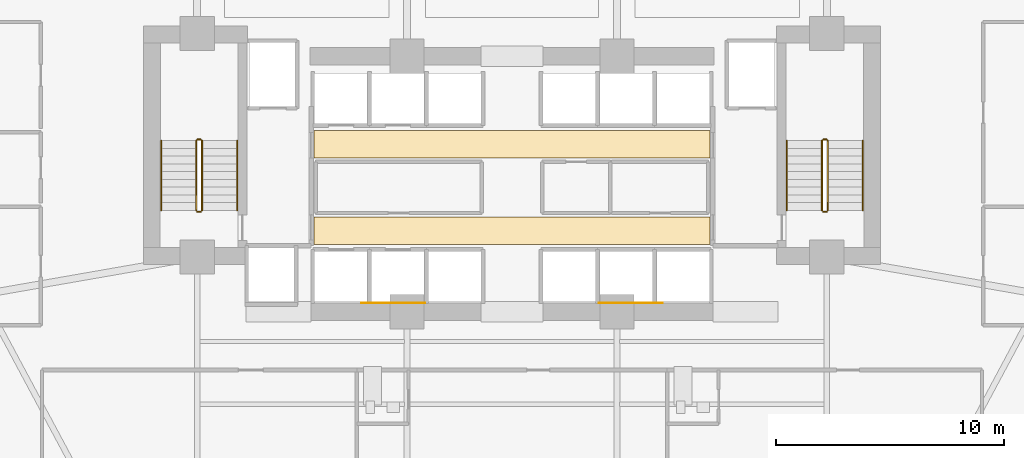
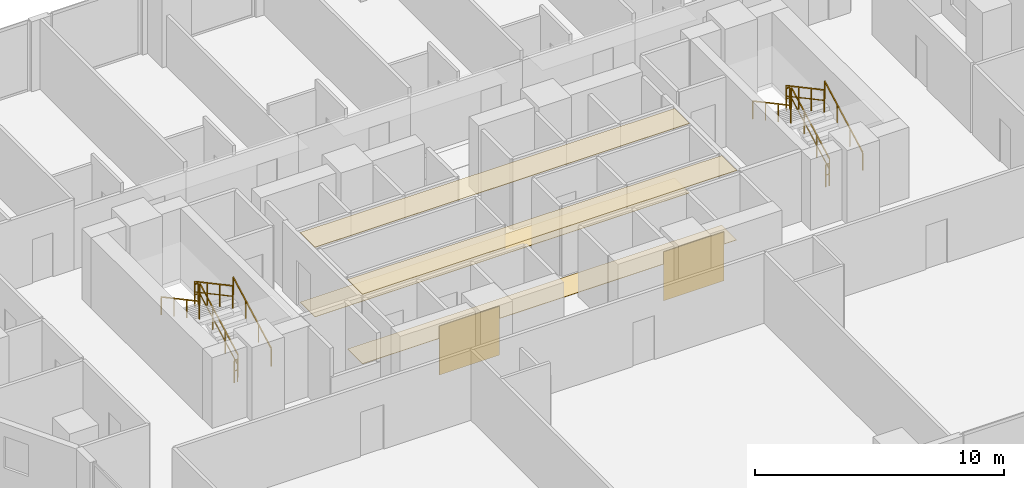
# One storey, part 27 of 29: 12 railings, 6 coverings.
"""IFC4 building model written with IfcOpenShell, lengths in metres."""

from ifc_helpers import new_model, si_unit, direction, frame, origin, origin_2d, place, context, subcontext, project, spatial, polyline, rectangle, outline, extrude, material, layer, layer_set, type_object, element, save


model = new_model("IFC4")

# Units and contexts
model_context = context("Model", 3, precision=1e-05, world=origin(), true_north=direction((0.0, 1.0)))
body_context = subcontext(model_context, "Body", "Model", "MODEL_VIEW")
ifc_project = project(units=[si_unit("LENGTHUNIT", "METRE"), si_unit("AREAUNIT", "SQUARE_METRE"), si_unit("VOLUMEUNIT", "CUBIC_METRE"), si_unit("PLANEANGLEUNIT", "RADIAN"), si_unit("MASSUNIT", "GRAM", prefix="KILO")], contexts=[model_context])

# Site, building, storey
site_placement = place(None, origin())
site = spatial("IfcSite", under=ifc_project, at=site_placement, CompositionType="ELEMENT")
building_placement = place(site_placement, origin())
building = spatial("IfcBuilding", under=site, at=building_placement, Name="Zuhayl Quay Hotel", CompositionType="ELEMENT")
storey_placement = place(building_placement, frame((0.0, 0.0, 106.60009765625)))
storey = spatial("IfcBuildingStorey", under=building, at=storey_placement, Name="L26", CompositionType="ELEMENT", Elevation=106.60009765625)

# Coverings
ifc_material_1 = material(Name="Acoustic Mineral-Fibre Gypsum Board")
ifc_layer_1 = layer(ifc_material_1, 0.02490234375, Name="Acoustic Mineral-Fibre Gypsum Board")
ifc_layer_set_1 = layer_set([ifc_layer_1], Name="Acoustic Mineral-Fibre Gypsum Board")
covering_type_1 = type_object("IfcCoveringType", Name="CV_CEIL_ACOUSTIC", PredefinedType="CEILING", material=ifc_layer_set_1)
covering_1_placement = place(storey_placement, frame((0.0, 0.0, 3.40478515625)))
element("IfcCovering", 1, at=covering_1_placement, inside=storey, type_object=covering_type_1, Name="L26 Suspended Acoustic Lobby Ceiling S", PredefinedType="CEILING", context=body_context, shape_type="SweptSolid", body=[
    extrude(outline(polyline([(-8.679931640625, 5.10009765625), (8.679931640625, 5.10009765625), (8.679931640625, 6.300048828125), (-8.679931640625, 6.300048828125), (-8.679931640625, 5.10009765625)])), origin(), (0.0, 0.0, 1.0), 0.025146484375),
])
covering_2_placement = place(storey_placement, frame((0.0, 0.0, 3.40478515625)))
element("IfcCovering", 2, at=covering_2_placement, inside=storey, type_object=covering_type_1, Name="L26 Suspended Acoustic Lobby Ceiling N", PredefinedType="CEILING", context=body_context, shape_type="SweptSolid", body=[
    extrude(outline(polyline([(-8.679931640625, 8.89990234375), (8.679931640625, 8.89990234375), (8.679931640625, 10.10009765625), (-8.679931640625, 10.10009765625), (-8.679931640625, 8.89990234375)])), origin(), (0.0, 0.0, 1.0), 0.025146484375),
])
ifc_material_2 = material(Name="Polished Limestone Terrazzo", Category="masonry")
ifc_layer_2 = layer(ifc_material_2, 0.02001953125, Name="Polished Limestone Terrazzo", Category="masonry")
ifc_layer_set_2 = layer_set([ifc_layer_2], Name="Polished Limestone Terrazzo")
covering_type_2 = type_object("IfcCoveringType", Name="CV_FLOOR_TERRAZZO", PredefinedType="FLOORING", material=ifc_layer_set_2)
covering_3_placement = place(storey_placement, origin())
element("IfcCovering", 3, at=covering_3_placement, inside=storey, type_object=covering_type_2, Name="L26 Honed Limestone Terrazzo Lobby Flooring S", PredefinedType="FLOORING", context=body_context, shape_type="SweptSolid", body=[
    extrude(outline(polyline([(-8.679931640625, 5.10009765625), (8.679931640625, 5.10009765625), (8.679931640625, 6.300048828125), (-8.679931640625, 6.300048828125), (-8.679931640625, 5.10009765625)])), origin(), (0.0, 0.0, 1.0), 0.02001953125),
])
covering_4_placement = place(storey_placement, origin())
element("IfcCovering", 4, at=covering_4_placement, inside=storey, type_object=covering_type_2, Name="L26 Honed Limestone Terrazzo Lobby Flooring N", PredefinedType="FLOORING", context=body_context, shape_type="SweptSolid", body=[
    extrude(outline(polyline([(-8.679931640625, 8.89990234375), (8.679931640625, 8.89990234375), (8.679931640625, 10.10009765625), (-8.679931640625, 10.10009765625), (-8.679931640625, 8.89990234375)])), origin(), (0.0, 0.0, 1.0), 0.02001953125),
])
ifc_material_3 = material(Name="Acoustic Walnut Feature Timber", Category="wood")
ifc_layer_3 = layer(ifc_material_3, 0.02197265625, Name="Acoustic Walnut Feature Timber", Category="wood")
ifc_layer_set_3 = layer_set([ifc_layer_3], Name="Acoustic Walnut Feature Timber")
covering_type_3 = type_object("IfcCoveringType", Name="CV_WALL_CLAD", PredefinedType="CLADDING", material=ifc_layer_set_3)
for number, where, z_axis, x_axis, name in (
    (5, (-5.199951171875, 2.535888671875, 0.300048828125), (0.0, 0.0, 1.0), (1.0, 0.0, 0.0), "L26 Feature Lobby Walnut Wall Cladding W"),
    (6, (5.199951171875, 2.535888671875, 0.300048828125), (0.0, 0.0, 1.0), (1.0, 0.0, 0.0), "L26 Feature Lobby Walnut Wall Cladding E"),
):
    element("IfcCovering", number, at=place(storey_placement, frame(where, z_axis=z_axis, x_axis=x_axis)), inside=storey, type_object=covering_type_3, Name=name, PredefinedType="CLADDING", context=body_context, shape_type="SweptSolid", body=[
        extrude(rectangle(XDim=2.800048828125, YDim=0.02197265625, at=origin_2d()), origin(), (0.0, 0.0, 1.0), 2.39990234375),
    ])

# Railings
ifc_material_4 = material(Name="Steel ASTM A992 Grade 50", Category="steel")
railing_type_1 = type_object("IfcRailingType", Name="RL_GUARD_1100", PredefinedType="GUARDRAIL", material=ifc_material_4)
railing_1_placement = place(storey_placement, frame((-13.590087890625, 6.590087890625, 0.182373046875)))
element("IfcRailing", 7, at=railing_1_placement, inside=storey, type_object=railing_type_1, Name="L26 ST1 stair guard 1", PredefinedType="GUARDRAIL", context=body_context, shape_type="SweptSolid", body=[
    extrude(rectangle(XDim=0.048095703125, YDim=0.048095703125, at=origin_2d()), frame((0.0, 0.0, 1.09619140625), z_axis=(0.0, 0.88107310026, 0.472980117973), x_axis=(-1.0, 0.0, 0.0)), (0.0, 0.0, 1.0), 3.472900390625),
    extrude(rectangle(XDim=0.0361328125, YDim=0.0361328125, at=origin_2d()), frame((0.0, 0.0, 0.58251953125), z_axis=(0.0, 0.88107310026, 0.472980117973), x_axis=(-1.0, 0.0, 0.0)), (0.0, 0.0, 1.0), 3.472900390625),
    extrude(rectangle(XDim=0.0419921875, YDim=0.0419921875, at=origin_2d()), origin(), (0.0, 0.0, 1.0), 1.072021484375),
    extrude(rectangle(XDim=0.0419921875, YDim=0.0419921875, at=origin_2d()), frame((0.0, 1.02001953125, 0.547607421875)), (0.0, 0.0, 1.0), 1.072021484375),
    extrude(rectangle(XDim=0.0419921875, YDim=0.0419921875, at=origin_2d()), frame((0.0, 2.039794921875, 1.094970703125)), (0.0, 0.0, 1.0), 1.072021484375),
    extrude(rectangle(XDim=0.0419921875, YDim=0.0419921875, at=origin_2d()), frame((0.0, 3.059814453125, 1.642578125)), (0.0, 0.0, 1.0), 1.072021484375),
])
railing_2_placement = place(storey_placement, frame((-13.639892578125, 9.699951171875, 1.824951171875)))
element("IfcRailing", 8, at=railing_2_placement, inside=storey, type_object=railing_type_1, Name="L26 ST1 stair guard 2", PredefinedType="GUARDRAIL", context=body_context, shape_type="SweptSolid", body=[
    extrude(rectangle(XDim=0.048095703125, YDim=0.048095703125, at=origin_2d()), frame((0.0, 0.0, 1.09619140625), z_axis=(-1.0, 0.0, 0.0), x_axis=(0.0, -1.0, 0.0)), (0.0, 0.0, 1.0), 0.150146484375),
    extrude(rectangle(XDim=0.0361328125, YDim=0.0361328125, at=origin_2d()), frame((0.0, 0.0, 0.58251953125), z_axis=(-1.0, 0.0, 0.0), x_axis=(0.0, -1.0, 0.0)), (0.0, 0.0, 1.0), 0.150146484375),
    extrude(rectangle(XDim=0.0419921875, YDim=0.0419921875, at=origin_2d()), origin(), (0.0, 0.0, 1.0), 1.072021484375),
    extrude(rectangle(XDim=0.0419921875, YDim=0.0419921875, at=origin_2d()), frame((-0.150146484375, 0.0, 0.0)), (0.0, 0.0, 1.0), 1.072021484375),
])
railing_3_placement = place(storey_placement, frame((-13.840087890625, 9.64990234375, 2.00732421875)))
element("IfcRailing", 9, at=railing_3_placement, inside=storey, type_object=railing_type_1, Name="L26 ST1 stair guard 3", PredefinedType="GUARDRAIL", context=body_context, shape_type="SweptSolid", body=[
    extrude(rectangle(XDim=0.048095703125, YDim=0.048095703125, at=origin_2d()), frame((0.0, 0.0, 1.09619140625), z_axis=(0.0, -0.88107310026, 0.472980117973), x_axis=(1.0, 0.0, 0.0)), (0.0, 0.0, 1.0), 3.472900390625),
    extrude(rectangle(XDim=0.0361328125, YDim=0.0361328125, at=origin_2d()), frame((0.0, 0.0, 0.58251953125), z_axis=(0.0, -0.88107310026, 0.472980117973), x_axis=(1.0, 0.0, 0.0)), (0.0, 0.0, 1.0), 3.472900390625),
    extrude(rectangle(XDim=0.0419921875, YDim=0.0419921875, at=origin_2d()), origin(), (0.0, 0.0, 1.0), 1.072021484375),
    extrude(rectangle(XDim=0.0419921875, YDim=0.0419921875, at=origin_2d()), frame((0.0, -1.02001953125, 0.547607421875)), (0.0, 0.0, 1.0), 1.072021484375),
    extrude(rectangle(XDim=0.0419921875, YDim=0.0419921875, at=origin_2d()), frame((0.0, -2.039794921875, 1.094970703125)), (0.0, 0.0, 1.0), 1.072021484375),
    extrude(rectangle(XDim=0.0419921875, YDim=0.0419921875, at=origin_2d()), frame((0.0, -3.059814453125, 1.642578125)), (0.0, 0.0, 1.0), 1.072021484375),
])
railing_4_placement = place(storey_placement, frame((-13.639892578125, 6.5400390625, 0.0)))
element("IfcRailing", 10, at=railing_4_placement, inside=storey, type_object=railing_type_1, Name="L26 ST1 stair guard 4", PredefinedType="GUARDRAIL", context=body_context, shape_type="SweptSolid", body=[
    extrude(rectangle(XDim=0.048095703125, YDim=0.048095703125, at=origin_2d()), frame((0.0, 0.0, 1.09619140625), z_axis=(-1.0, 0.0, 0.0), x_axis=(0.0, -1.0, 0.0)), (0.0, 0.0, 1.0), 0.150146484375),
    extrude(rectangle(XDim=0.0361328125, YDim=0.0361328125, at=origin_2d()), frame((0.0, 0.0, 0.58251953125), z_axis=(-1.0, 0.0, 0.0), x_axis=(0.0, -1.0, 0.0)), (0.0, 0.0, 1.0), 0.150146484375),
    extrude(rectangle(XDim=0.0419921875, YDim=0.0419921875, at=origin_2d()), origin(), (0.0, 0.0, 1.0), 1.072021484375),
    extrude(rectangle(XDim=0.0419921875, YDim=0.0419921875, at=origin_2d()), frame((-0.150146484375, 0.0, 0.0)), (0.0, 0.0, 1.0), 1.072021484375),
])
railing_5_placement = place(storey_placement, frame((13.840087890625, 6.590087890625, 0.182373046875)))
element("IfcRailing", 11, at=railing_5_placement, inside=storey, type_object=railing_type_1, Name="L26 ST2 stair guard 1", PredefinedType="GUARDRAIL", context=body_context, shape_type="SweptSolid", body=[
    extrude(rectangle(XDim=0.048095703125, YDim=0.048095703125, at=origin_2d()), frame((0.0, 0.0, 1.09619140625), z_axis=(0.0, 0.88107310026, 0.472980117973), x_axis=(-1.0, 0.0, 0.0)), (0.0, 0.0, 1.0), 3.472900390625),
    extrude(rectangle(XDim=0.0361328125, YDim=0.0361328125, at=origin_2d()), frame((0.0, 0.0, 0.58251953125), z_axis=(0.0, 0.88107310026, 0.472980117973), x_axis=(-1.0, 0.0, 0.0)), (0.0, 0.0, 1.0), 3.472900390625),
    extrude(rectangle(XDim=0.0419921875, YDim=0.0419921875, at=origin_2d()), origin(), (0.0, 0.0, 1.0), 1.072021484375),
    extrude(rectangle(XDim=0.0419921875, YDim=0.0419921875, at=origin_2d()), frame((0.0, 1.02001953125, 0.547607421875)), (0.0, 0.0, 1.0), 1.072021484375),
    extrude(rectangle(XDim=0.0419921875, YDim=0.0419921875, at=origin_2d()), frame((0.0, 2.039794921875, 1.094970703125)), (0.0, 0.0, 1.0), 1.072021484375),
    extrude(rectangle(XDim=0.0419921875, YDim=0.0419921875, at=origin_2d()), frame((0.0, 3.059814453125, 1.642578125)), (0.0, 0.0, 1.0), 1.072021484375),
])
railing_6_placement = place(storey_placement, frame((13.7900390625, 9.699951171875, 1.824951171875)))
element("IfcRailing", 12, at=railing_6_placement, inside=storey, type_object=railing_type_1, Name="L26 ST2 stair guard 2", PredefinedType="GUARDRAIL", context=body_context, shape_type="SweptSolid", body=[
    extrude(rectangle(XDim=0.048095703125, YDim=0.048095703125, at=origin_2d()), frame((0.0, 0.0, 1.09619140625), z_axis=(-1.0, 0.0, 0.0), x_axis=(0.0, -1.0, 0.0)), (0.0, 0.0, 1.0), 0.150146484375),
    extrude(rectangle(XDim=0.0361328125, YDim=0.0361328125, at=origin_2d()), frame((0.0, 0.0, 0.58251953125), z_axis=(-1.0, 0.0, 0.0), x_axis=(0.0, -1.0, 0.0)), (0.0, 0.0, 1.0), 0.150146484375),
    extrude(rectangle(XDim=0.0419921875, YDim=0.0419921875, at=origin_2d()), origin(), (0.0, 0.0, 1.0), 1.072021484375),
    extrude(rectangle(XDim=0.0419921875, YDim=0.0419921875, at=origin_2d()), frame((-0.150146484375, 0.0, 0.0)), (0.0, 0.0, 1.0), 1.072021484375),
])
railing_7_placement = place(storey_placement, frame((13.590087890625, 9.64990234375, 2.00732421875)))
element("IfcRailing", 13, at=railing_7_placement, inside=storey, type_object=railing_type_1, Name="L26 ST2 stair guard 3", PredefinedType="GUARDRAIL", context=body_context, shape_type="SweptSolid", body=[
    extrude(rectangle(XDim=0.048095703125, YDim=0.048095703125, at=origin_2d()), frame((0.0, 0.0, 1.09619140625), z_axis=(0.0, -0.88107310026, 0.472980117973), x_axis=(1.0, 0.0, 0.0)), (0.0, 0.0, 1.0), 3.472900390625),
    extrude(rectangle(XDim=0.0361328125, YDim=0.0361328125, at=origin_2d()), frame((0.0, 0.0, 0.58251953125), z_axis=(0.0, -0.88107310026, 0.472980117973), x_axis=(1.0, 0.0, 0.0)), (0.0, 0.0, 1.0), 3.472900390625),
    extrude(rectangle(XDim=0.0419921875, YDim=0.0419921875, at=origin_2d()), origin(), (0.0, 0.0, 1.0), 1.072021484375),
    extrude(rectangle(XDim=0.0419921875, YDim=0.0419921875, at=origin_2d()), frame((0.0, -1.02001953125, 0.547607421875)), (0.0, 0.0, 1.0), 1.072021484375),
    extrude(rectangle(XDim=0.0419921875, YDim=0.0419921875, at=origin_2d()), frame((0.0, -2.039794921875, 1.094970703125)), (0.0, 0.0, 1.0), 1.072021484375),
    extrude(rectangle(XDim=0.0419921875, YDim=0.0419921875, at=origin_2d()), frame((0.0, -3.059814453125, 1.642578125)), (0.0, 0.0, 1.0), 1.072021484375),
])
railing_8_placement = place(storey_placement, frame((13.7900390625, 6.5400390625, 0.0)))
element("IfcRailing", 14, at=railing_8_placement, inside=storey, type_object=railing_type_1, Name="L26 ST2 stair guard 4", PredefinedType="GUARDRAIL", context=body_context, shape_type="SweptSolid", body=[
    extrude(rectangle(XDim=0.048095703125, YDim=0.048095703125, at=origin_2d()), frame((0.0, 0.0, 1.09619140625), z_axis=(-1.0, 0.0, 0.0), x_axis=(0.0, -1.0, 0.0)), (0.0, 0.0, 1.0), 0.150146484375),
    extrude(rectangle(XDim=0.0361328125, YDim=0.0361328125, at=origin_2d()), frame((0.0, 0.0, 0.58251953125), z_axis=(-1.0, 0.0, 0.0), x_axis=(0.0, -1.0, 0.0)), (0.0, 0.0, 1.0), 0.150146484375),
    extrude(rectangle(XDim=0.0419921875, YDim=0.0419921875, at=origin_2d()), origin(), (0.0, 0.0, 1.0), 1.072021484375),
    extrude(rectangle(XDim=0.0419921875, YDim=0.0419921875, at=origin_2d()), frame((-0.150146484375, 0.0, 0.0)), (0.0, 0.0, 1.0), 1.072021484375),
])
railing_type_2 = type_object("IfcRailingType", Name="RL_HANDRAIL_920", PredefinedType="HANDRAIL", material=ifc_material_4)
railing_9_placement = place(storey_placement, frame((-12.050048828125, 6.590087890625, 0.182373046875)))
element("IfcRailing", 15, at=railing_9_placement, inside=storey, type_object=railing_type_2, Name="L26 ST1 stair handrail 1", PredefinedType="HANDRAIL", context=body_context, shape_type="SweptSolid", body=[
    extrude(rectangle(XDim=0.048095703125, YDim=0.048095703125, at=origin_2d()), frame((0.0, 0.0, 0.8759765625), z_axis=(0.0, 0.88107310026, 0.472980117973), x_axis=(-1.0, 0.0, 0.0)), (0.0, 0.0, 1.0), 3.472900390625),
    extrude(rectangle(XDim=0.0419921875, YDim=0.0419921875, at=origin_2d()), origin(), (0.0, 0.0, 1.0), 0.851806640625),
    extrude(rectangle(XDim=0.0419921875, YDim=0.0419921875, at=origin_2d()), frame((0.0, 1.02001953125, 0.547607421875)), (0.0, 0.0, 1.0), 0.851806640625),
    extrude(rectangle(XDim=0.0419921875, YDim=0.0419921875, at=origin_2d()), frame((0.0, 2.039794921875, 1.094970703125)), (0.0, 0.0, 1.0), 0.851806640625),
    extrude(rectangle(XDim=0.0419921875, YDim=0.0419921875, at=origin_2d()), frame((0.0, 3.059814453125, 1.642578125)), (0.0, 0.0, 1.0), 0.851806640625),
])
railing_10_placement = place(storey_placement, frame((-15.3798828125, 9.64990234375, 2.00732421875)))
element("IfcRailing", 16, at=railing_10_placement, inside=storey, type_object=railing_type_2, Name="L26 ST1 stair handrail 2", PredefinedType="HANDRAIL", context=body_context, shape_type="SweptSolid", body=[
    extrude(rectangle(XDim=0.048095703125, YDim=0.048095703125, at=origin_2d()), frame((0.0, 0.0, 0.8759765625), z_axis=(0.0, -0.88107310026, 0.472980117973), x_axis=(1.0, 0.0, 0.0)), (0.0, 0.0, 1.0), 3.472900390625),
    extrude(rectangle(XDim=0.0419921875, YDim=0.0419921875, at=origin_2d()), origin(), (0.0, 0.0, 1.0), 0.851806640625),
    extrude(rectangle(XDim=0.0419921875, YDim=0.0419921875, at=origin_2d()), frame((0.0, -1.02001953125, 0.547607421875)), (0.0, 0.0, 1.0), 0.851806640625),
    extrude(rectangle(XDim=0.0419921875, YDim=0.0419921875, at=origin_2d()), frame((0.0, -2.039794921875, 1.094970703125)), (0.0, 0.0, 1.0), 0.851806640625),
    extrude(rectangle(XDim=0.0419921875, YDim=0.0419921875, at=origin_2d()), frame((0.0, -3.059814453125, 1.642578125)), (0.0, 0.0, 1.0), 0.851806640625),
])
railing_11_placement = place(storey_placement, frame((15.3798828125, 6.590087890625, 0.182373046875)))
element("IfcRailing", 17, at=railing_11_placement, inside=storey, type_object=railing_type_2, Name="L26 ST2 stair handrail 1", PredefinedType="HANDRAIL", context=body_context, shape_type="SweptSolid", body=[
    extrude(rectangle(XDim=0.048095703125, YDim=0.048095703125, at=origin_2d()), frame((0.0, 0.0, 0.8759765625), z_axis=(0.0, 0.88107310026, 0.472980117973), x_axis=(-1.0, 0.0, 0.0)), (0.0, 0.0, 1.0), 3.472900390625),
    extrude(rectangle(XDim=0.0419921875, YDim=0.0419921875, at=origin_2d()), origin(), (0.0, 0.0, 1.0), 0.851806640625),
    extrude(rectangle(XDim=0.0419921875, YDim=0.0419921875, at=origin_2d()), frame((0.0, 1.02001953125, 0.547607421875)), (0.0, 0.0, 1.0), 0.851806640625),
    extrude(rectangle(XDim=0.0419921875, YDim=0.0419921875, at=origin_2d()), frame((0.0, 2.039794921875, 1.094970703125)), (0.0, 0.0, 1.0), 0.851806640625),
    extrude(rectangle(XDim=0.0419921875, YDim=0.0419921875, at=origin_2d()), frame((0.0, 3.059814453125, 1.642578125)), (0.0, 0.0, 1.0), 0.851806640625),
])
railing_12_placement = place(storey_placement, frame((12.050048828125, 9.64990234375, 2.00732421875)))
element("IfcRailing", 18, at=railing_12_placement, inside=storey, type_object=railing_type_2, Name="L26 ST2 stair handrail 2", PredefinedType="HANDRAIL", context=body_context, shape_type="SweptSolid", body=[
    extrude(rectangle(XDim=0.048095703125, YDim=0.048095703125, at=origin_2d()), frame((0.0, 0.0, 0.8759765625), z_axis=(0.0, -0.88107310026, 0.472980117973), x_axis=(1.0, 0.0, 0.0)), (0.0, 0.0, 1.0), 3.472900390625),
    extrude(rectangle(XDim=0.0419921875, YDim=0.0419921875, at=origin_2d()), origin(), (0.0, 0.0, 1.0), 0.851806640625),
    extrude(rectangle(XDim=0.0419921875, YDim=0.0419921875, at=origin_2d()), frame((0.0, -1.02001953125, 0.547607421875)), (0.0, 0.0, 1.0), 0.851806640625),
    extrude(rectangle(XDim=0.0419921875, YDim=0.0419921875, at=origin_2d()), frame((0.0, -2.039794921875, 1.094970703125)), (0.0, 0.0, 1.0), 0.851806640625),
    extrude(rectangle(XDim=0.0419921875, YDim=0.0419921875, at=origin_2d()), frame((0.0, -3.059814453125, 1.642578125)), (0.0, 0.0, 1.0), 0.851806640625),
])

save(model, "model.ifc")
